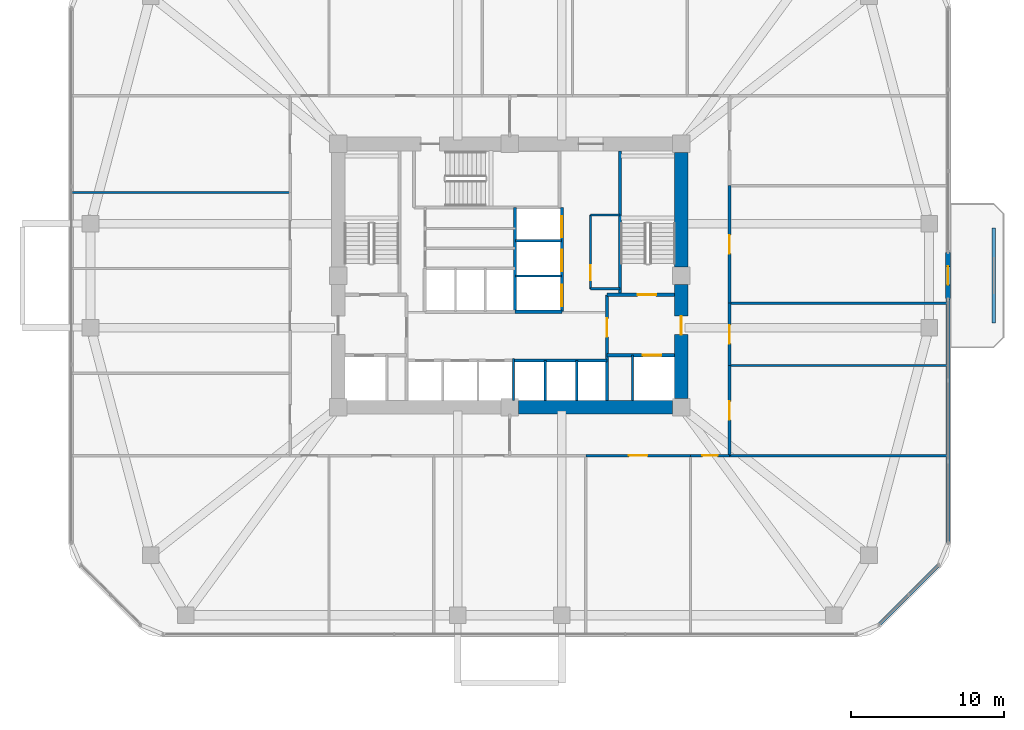
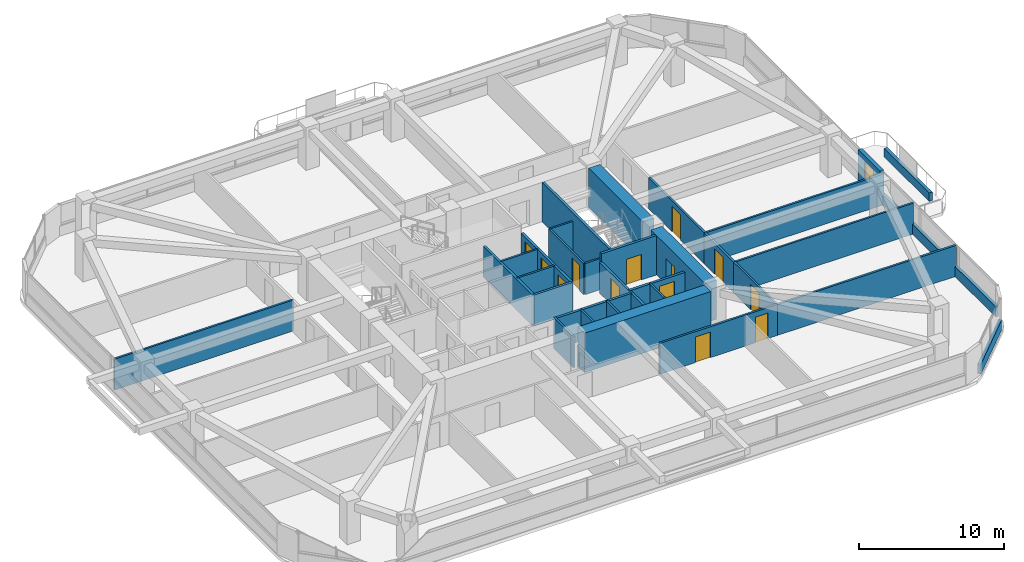
# One storey, part 10 of 14: 33 walls, 14 doors, 14 openings.
"""IFC4 building model written with IfcOpenShell, lengths in metres."""

from ifc_helpers import new_model, si_unit, derived_unit, direction, frame, frame_2d, origin, place, context, subcontext, project, spatial, rectangle, extrude, material, layer, layer_set, type_object, element, fill, save


model = new_model("IFC4")

# Units and contexts
model_context = context("Model", 3, precision=1e-05, world=origin(), true_north=direction((0.0, 1.0)))
body_context = subcontext(model_context, "Body", "Model", "MODEL_VIEW")
ifc_project = project(units=[si_unit("LENGTHUNIT", "METRE"), si_unit("AREAUNIT", "SQUARE_METRE"), si_unit("VOLUMEUNIT", "CUBIC_METRE"), si_unit("PLANEANGLEUNIT", "RADIAN"), si_unit("MASSUNIT", "GRAM", prefix="KILO"), derived_unit("THERMALTRANSMITTANCEUNIT", [(si_unit("POWERUNIT", "WATT"), 1), (si_unit("LENGTHUNIT", "METRE"), -2), (si_unit("THERMODYNAMICTEMPERATUREUNIT", "KELVIN"), -1)])], contexts=[model_context])

# Site, building, storey
site_placement = place(None, origin())
site = spatial("IfcSite", under=ifc_project, at=site_placement, CompositionType="ELEMENT")
building_placement = place(site_placement, origin())
building = spatial("IfcBuilding", under=site, at=building_placement, Name="Koralith Skygarden Medical Center", CompositionType="ELEMENT")
storey_placement = place(building_placement, frame((0.0, 0.0, 45.5400390625)))
storey = spatial("IfcBuildingStorey", under=building, at=storey_placement, Name="L11", CompositionType="ELEMENT", Elevation=45.5400390625)

# Wall, opening, door
ifc_material_1 = material(Name="Gypsum Board Partition")
ifc_layer_1 = layer(ifc_material_1, 0.14990234375)
ifc_layer_set_1 = layer_set([ifc_layer_1], Name="Gypsum Board Partition")
wall_type_1 = type_object("IfcWallType", Name="Clinical Acoustic Partition 150", PredefinedType="PARTITIONING", material=ifc_layer_set_1)
wall_1_placement = place(storey_placement, frame((42.27001953125, 25.0400390625, 0.0), z_axis=(0.0, 0.0, 1.0), x_axis=(0.0, 1.0, 0.0)))
wall_1 = element("IfcWall", 1, at=wall_1_placement, inside=storey, type_object=wall_type_1, Name="L11 Clinical Acoustic Partition 150 W-CORE-L11-ESUB-W", PredefinedType="PARTITIONING", context=body_context, shape_type="SweptSolid", body=[
    extrude(rectangle(XDim=4.820068359375, YDim=0.14990234375, at=frame_2d((2.41015625, 0.0))), origin(), (0.0, 0.0, 1.0), 2.60986328125),
])
opening_1_placement = place(wall_1_placement, frame((0.550048828125, 0.0, 0.0)))
opening_1 = element("IfcOpeningElement", 2, at=opening_1_placement, cuts=wall_1, Name="Opening D-SUP", PredefinedType="OPENING", context=body_context, shape_type="SweptSolid", body=[
    extrude(rectangle(XDim=1.0, YDim=2.14990234375, at=frame_2d((0.5, 1.074951171875))), frame((0.0, 0.0849609375, 0.0), z_axis=(0.0, -1.0, 0.0), x_axis=(1.0, 0.0, 0.0)), (0.0, 0.0, 1.0), 0.169921875),
])
ifc_material_2 = material(Name="Aluminium 6063-T6", Category="aluminium")
door_type_1 = type_object("IfcDoorType", Name="Clinical Support Door D-SUP 1000", OperationType="NOTDEFINED", PredefinedType="DOOR", material=ifc_material_2)
door_1_placement = place(opening_1_placement, origin())
door_1 = element("IfcDoor", 3, at=door_1_placement, inside=storey, type_object=door_type_1, Name="L11 Core Equipment Store Door", OperationType="SINGLE_SWING_LEFT", OverallHeight=2.14990234375, OverallWidth=1.0, PredefinedType="DOOR", context=body_context, shape_type="SweptSolid", body=[
    extrude(rectangle(XDim=1.0, YDim=2.14990234375, at=frame_2d((0.5, 1.074951171875))), frame((0.0, 0.02490234375, 0.0), z_axis=(0.0, -1.0, 0.0), x_axis=(1.0, 0.0, 0.0)), (0.0, 0.0, 1.0), 0.050048828125),
])
fill(opening_1, door_1)

# Walls
for number, where, z_axis, x_axis, name in (
    (4, (42.27001953125, 25.0400390625, 0.0), (0.0, 0.0, 1.0), (1.0, 0.0, 0.0), "L11 Clinical Acoustic Partition 150 W-CORE-L11-ESUB-S"),
    (5, (42.27001953125, 29.860107421875, 0.0), (0.0, 0.0, 1.0), (1.0, 0.0, 0.0), "L11 Clinical Acoustic Partition 150 W-CORE-L11-ESUB-N"),
):
    element("IfcWall", number, at=place(storey_placement, frame(where, z_axis=z_axis, x_axis=x_axis)), inside=storey, type_object=wall_type_1, Name=name, PredefinedType="PARTITIONING", context=body_context, shape_type="SweptSolid", body=[
        extrude(rectangle(XDim=1.929931640625, YDim=0.14990234375, at=frame_2d((0.96484375, 0.0))), origin(), (0.0, 0.0, 1.0), 2.60986328125),
    ])
for number, where, z_axis, x_axis, name in (
    (6, (22.64990234375, 31.3330078125, 0.0), (0.0, 0.0, 1.0), (-1.0, 0.0, 0.0), "L11 Clinical Acoustic Partition 150 W-PART-L11-W-03"),
    (7, (51.35009765625, 20.02490234375, 0.0), (0.0, 0.0, 1.0), (1.0, 0.0, 0.0), "L11 Clinical Acoustic Partition 150 W-PART-L11-E-01"),
    (8, (51.35009765625, 24.10009765625, 0.0), (0.0, 0.0, 1.0), (1.0, 0.0, 0.0), "L11 Clinical Acoustic Partition 150 W-PART-L11-E-02"),
):
    element("IfcWall", number, at=place(storey_placement, frame(where, z_axis=z_axis, x_axis=x_axis)), inside=storey, type_object=wall_type_1, Name=name, PredefinedType="PARTITIONING", context=body_context, shape_type="SweptSolid", body=[
        extrude(rectangle(XDim=14.25, YDim=0.14990234375, at=frame_2d((7.125, 0.0))), origin(), (0.0, 0.0, 1.0), 2.60986328125),
    ])
ifc_layer_2 = layer(ifc_material_1, 0.1650390625)
ifc_layer_set_2 = layer_set([ifc_layer_2], Name="Gypsum Board Partition")
wall_type_2 = type_object("IfcWallType", Name="Clinical Corridor Partition 165", PredefinedType="PARTITIONING", material=ifc_layer_set_2)
wall_2_placement = place(storey_placement, frame((51.35009765625, 14.14990234375, 0.0), z_axis=(0.0, 0.0, 1.0), x_axis=(1.0, 0.0, 0.0)))
element("IfcWall", 9, at=wall_2_placement, inside=storey, type_object=wall_type_2, Name="L11 Clinical Corridor Partition 165 W-WB-L11-SE", PredefinedType="PARTITIONING", context=body_context, shape_type="SweptSolid", body=[
    extrude(rectangle(XDim=14.25, YDim=0.1650390625, at=frame_2d((7.125, 0.0))), origin(), (0.0, 0.0, 1.0), 2.60986328125),
])

# Wall, opening, door
wall_3_placement = place(storey_placement, frame((41.964111328125, 14.14990234375, 0.0), z_axis=(0.0, 0.0, 1.0), x_axis=(1.0, 0.0, 0.0)))
wall_3 = element("IfcWall", 10, at=wall_3_placement, inside=storey, type_object=wall_type_2, Name="L11 Clinical Corridor Partition 165 W-CORR-L11-S-04", PredefinedType="PARTITIONING", context=body_context, shape_type="SweptSolid", body=[
    extrude(rectangle(XDim=6.8359375, YDim=0.1650390625, at=frame_2d((3.41796875, 0.0))), origin(), (0.0, 0.0, 1.0), 2.60986328125),
])
opening_2_placement = place(wall_3_placement, frame((2.818115234375, 0.0, 0.0)))
opening_2 = element("IfcOpeningElement", 11, at=opening_2_placement, cuts=wall_3, Name="Opening D-CLN", PredefinedType="OPENING", context=body_context, shape_type="SweptSolid", body=[
    extrude(rectangle(XDim=1.199951171875, YDim=2.14990234375, at=frame_2d((0.60009765625, 1.074951171875))), frame((0.0, 0.092529296875, 0.0), z_axis=(0.0, -1.0, 0.0), x_axis=(1.0, 0.0, 0.0)), (0.0, 0.0, 1.0), 0.18505859375),
])
door_type_2 = type_object("IfcDoorType", Name="Clinical Corridor Door D-CLN 1200", OperationType="NOTDEFINED", PredefinedType="DOOR", material=ifc_material_2)
door_2_placement = place(opening_2_placement, frame((1.199951171875, 0.0, 0.0), z_axis=(0.0, 0.0, 1.0), x_axis=(-1.0, 0.0, 0.0)))
door_2 = element("IfcDoor", 12, at=door_2_placement, inside=storey, type_object=door_type_2, Name="L11 Clinical Consultation Office 09 Door", OperationType="SINGLE_SWING_RIGHT", OverallHeight=2.14990234375, OverallWidth=1.199951171875, PredefinedType="DOOR", context=body_context, shape_type="SweptSolid", body=[
    extrude(rectangle(XDim=1.199951171875, YDim=2.14990234375, at=frame_2d((0.60009765625, 1.074951171875))), frame((0.0, 0.02490234375, 0.0), z_axis=(0.0, -1.0, 0.0), x_axis=(1.0, 0.0, 0.0)), (0.0, 0.0, 1.0), 0.050048828125),
])
fill(opening_2, door_2)

wall_4_placement = place(storey_placement, frame((48.800048828125, 14.14990234375, 0.0), z_axis=(0.0, 0.0, 1.0), x_axis=(1.0, 0.0, 0.0)))
wall_4 = element("IfcWall", 13, at=wall_4_placement, inside=storey, type_object=wall_type_2, Name="L11 Clinical Corridor Partition 165 W-CORR-L11-S-05", PredefinedType="PARTITIONING", context=body_context, shape_type="SweptSolid", body=[
    extrude(rectangle(XDim=2.550048828125, YDim=0.1650390625, at=frame_2d((1.27490234375, 0.0))), origin(), (0.0, 0.0, 1.0), 2.60986328125),
])
opening_3_placement = place(wall_4_placement, frame((0.77490234375, 0.0, 0.0)))
opening_3 = element("IfcOpeningElement", 14, at=opening_3_placement, cuts=wall_4, Name="Opening D-SUP", PredefinedType="OPENING", context=body_context, shape_type="SweptSolid", body=[
    extrude(rectangle(XDim=1.0, YDim=2.14990234375, at=frame_2d((0.5, 1.074951171875))), frame((0.0, 0.092529296875, 0.0), z_axis=(0.0, -1.0, 0.0), x_axis=(1.0, 0.0, 0.0)), (0.0, 0.0, 1.0), 0.18505859375),
])
door_3_placement = place(opening_3_placement, frame((1.0, 0.0, 0.0), z_axis=(0.0, 0.0, 1.0), x_axis=(-1.0, 0.0, 0.0)))
door_3 = element("IfcDoor", 15, at=door_3_placement, inside=storey, type_object=door_type_1, Name="L11 Family Waiting Sitting Lounge 10 Door", OperationType="SINGLE_SWING_LEFT", OverallHeight=2.14990234375, OverallWidth=1.0, PredefinedType="DOOR", context=body_context, shape_type="SweptSolid", body=[
    extrude(rectangle(XDim=1.0, YDim=2.14990234375, at=frame_2d((0.5, 1.074951171875))), frame((0.0, 0.02490234375, 0.0), z_axis=(0.0, -1.0, 0.0), x_axis=(1.0, 0.0, 0.0)), (0.0, 0.0, 1.0), 0.050048828125),
])
fill(opening_3, door_3)

wall_5_placement = place(storey_placement, frame((51.35009765625, 14.14990234375, 0.0), z_axis=(0.0, 0.0, 1.0), x_axis=(0.0, 1.0, 0.0)))
wall_5 = element("IfcWall", 16, at=wall_5_placement, inside=storey, type_object=wall_type_2, Name="L11 Clinical Corridor Partition 165 W-CORR-L11-E-01", PredefinedType="PARTITIONING", context=body_context, shape_type="SweptSolid", body=[
    extrude(rectangle(XDim=5.875, YDim=0.1650390625, at=frame_2d((2.9375, 0.0))), origin(), (0.0, 0.0, 1.0), 2.60986328125),
])
opening_4_placement = place(wall_5_placement, frame((2.3369140625, 0.0, 0.0)))
opening_4 = element("IfcOpeningElement", 17, at=opening_4_placement, cuts=wall_5, Name="Opening D-CLN", PredefinedType="OPENING", context=body_context, shape_type="SweptSolid", body=[
    extrude(rectangle(XDim=1.199951171875, YDim=2.14990234375, at=frame_2d((0.60009765625, 1.074951171875))), frame((0.0, 0.092529296875, 0.0), z_axis=(0.0, -1.0, 0.0), x_axis=(1.0, 0.0, 0.0)), (0.0, 0.0, 1.0), 0.18505859375),
])
door_4_placement = place(opening_4_placement, origin())
door_4 = element("IfcDoor", 18, at=door_4_placement, inside=storey, type_object=door_type_2, Name="L11 Outpatient Triage Exam Room 15 Door", OperationType="SINGLE_SWING_RIGHT", OverallHeight=2.14990234375, OverallWidth=1.199951171875, PredefinedType="DOOR", context=body_context, shape_type="SweptSolid", body=[
    extrude(rectangle(XDim=1.199951171875, YDim=2.14990234375, at=frame_2d((0.60009765625, 1.074951171875))), frame((0.0, 0.02490234375, 0.0), z_axis=(0.0, -1.0, 0.0), x_axis=(1.0, 0.0, 0.0)), (0.0, 0.0, 1.0), 0.050048828125),
])
fill(opening_4, door_4)

wall_6_placement = place(storey_placement, frame((51.35009765625, 20.02490234375, 0.0), z_axis=(0.0, 0.0, 1.0), x_axis=(0.0, 1.0, 0.0)))
wall_6 = element("IfcWall", 19, at=wall_6_placement, inside=storey, type_object=wall_type_2, Name="L11 Clinical Corridor Partition 165 W-CORR-L11-E-02", PredefinedType="PARTITIONING", context=body_context, shape_type="SweptSolid", body=[
    extrude(rectangle(XDim=4.0751953125, YDim=0.1650390625, at=frame_2d((2.03759765625, 0.0))), origin(), (0.0, 0.0, 1.0), 2.60986328125),
])
opening_5_placement = place(wall_6_placement, frame((1.43798828125, 0.0, 0.0)))
opening_5 = element("IfcOpeningElement", 20, at=opening_5_placement, cuts=wall_6, Name="Opening D-CLN", PredefinedType="OPENING", context=body_context, shape_type="SweptSolid", body=[
    extrude(rectangle(XDim=1.199951171875, YDim=2.14990234375, at=frame_2d((0.60009765625, 1.074951171875))), frame((0.0, 0.092529296875, 0.0), z_axis=(0.0, -1.0, 0.0), x_axis=(1.0, 0.0, 0.0)), (0.0, 0.0, 1.0), 0.18505859375),
])
door_5_placement = place(opening_5_placement, origin())
door_5 = element("IfcDoor", 21, at=door_5_placement, inside=storey, type_object=door_type_2, Name="L11 Clean Linen Supply Store 16 Door", OperationType="SINGLE_SWING_LEFT", OverallHeight=2.14990234375, OverallWidth=1.199951171875, PredefinedType="DOOR", context=body_context, shape_type="SweptSolid", body=[
    extrude(rectangle(XDim=1.199951171875, YDim=2.14990234375, at=frame_2d((0.60009765625, 1.074951171875))), frame((0.0, 0.02490234375, 0.0), z_axis=(0.0, -1.0, 0.0), x_axis=(1.0, 0.0, 0.0)), (0.0, 0.0, 1.0), 0.050048828125),
])
fill(opening_5, door_5)

wall_7_placement = place(storey_placement, frame((51.35009765625, 24.10009765625, 0.0), z_axis=(0.0, 0.0, 1.0), x_axis=(0.0, 1.0, 0.0)))
wall_7 = element("IfcWall", 22, at=wall_7_placement, inside=storey, type_object=wall_type_2, Name="L11 Clinical Corridor Partition 165 W-CORR-L11-E-03", PredefinedType="PARTITIONING", context=body_context, shape_type="SweptSolid", body=[
    extrude(rectangle(XDim=7.6748046875, YDim=0.1650390625, at=frame_2d((3.83740234375, 0.0))), origin(), (0.0, 0.0, 1.0), 2.60986328125),
])
opening_6_placement = place(wall_7_placement, frame((3.237060546875, 0.0, 0.0)))
opening_6 = element("IfcOpeningElement", 23, at=opening_6_placement, cuts=wall_7, Name="Opening D-CLN", PredefinedType="OPENING", context=body_context, shape_type="SweptSolid", body=[
    extrude(rectangle(XDim=1.199951171875, YDim=2.14990234375, at=frame_2d((0.60009765625, 1.074951171875))), frame((0.0, 0.092529296875, 0.0), z_axis=(0.0, -1.0, 0.0), x_axis=(1.0, 0.0, 0.0)), (0.0, 0.0, 1.0), 0.18505859375),
])
door_6_placement = place(opening_6_placement, origin())
door_6 = element("IfcDoor", 24, at=door_6_placement, inside=storey, type_object=door_type_2, Name="L11 Patient and Family Sky-Garden Day Lounge 17 Door", OperationType="SINGLE_SWING_RIGHT", OverallHeight=2.14990234375, OverallWidth=1.199951171875, PredefinedType="DOOR", context=body_context, shape_type="SweptSolid", body=[
    extrude(rectangle(XDim=1.199951171875, YDim=2.14990234375, at=frame_2d((0.60009765625, 1.074951171875))), frame((0.0, 0.02490234375, 0.0), z_axis=(0.0, -1.0, 0.0), x_axis=(1.0, 0.0, 0.0)), (0.0, 0.0, 1.0), 0.050048828125),
])
fill(opening_6, door_6)

ifc_layer_3 = layer(ifc_material_1, 0.199951171875)
ifc_layer_set_3 = layer_set([ifc_layer_3], Name="Gypsum Board Partition")
wall_type_3 = type_object("IfcWallType", Name="Fire Shaft Wall 200", PredefinedType="SOLIDWALL", material=ifc_layer_set_3)
wall_8_placement = place(storey_placement, frame((43.35009765625, 20.699951171875, 0.0), z_axis=(0.0, 0.0, 1.0), x_axis=(1.0, 0.0, 0.0)))
wall_8 = element("IfcWall", 25, at=wall_8_placement, inside=storey, type_object=wall_type_3, Name="L11 Fire Shaft Wall 200 W-CORE-L11-FF2-N", PredefinedType="SOLIDWALL", context=body_context, shape_type="SweptSolid", body=[
    extrude(rectangle(XDim=4.39990234375, YDim=0.199951171875, at=frame_2d((2.199951171875, 0.0))), origin(), (0.0, 0.0, 1.0), 2.60986328125),
])
opening_7_placement = place(wall_8_placement, frame((2.35009765625, 0.0, 0.0)))
opening_7 = element("IfcOpeningElement", 26, at=opening_7_placement, cuts=wall_8, Name="Opening LD-FF", PredefinedType="OPENING", context=body_context, shape_type="SweptSolid", body=[
    extrude(rectangle(XDim=1.199951171875, YDim=2.14990234375, at=frame_2d((0.60009765625, 1.074951171875))), frame((0.0, 0.10986328125, 0.0), z_axis=(0.0, -1.0, 0.0), x_axis=(1.0, 0.0, 0.0)), (0.0, 0.0, 1.0), 0.219970703125),
])
ifc_material_3 = material(Name="Steel ASTM A500 Grade C", Category="steel")
door_type_3 = type_object("IfcDoorType", Name="Fire Lift Sliding Landing Door LD-FF 1200", OperationType="NOTDEFINED", PredefinedType="DOOR", material=ifc_material_3)
door_7_placement = place(opening_7_placement, origin())
door_7 = element("IfcDoor", 27, at=door_7_placement, inside=storey, type_object=door_type_3, Name="L11 Fire Service Elevator FF2 Landing Door", OperationType="SLIDING_TO_RIGHT", OverallHeight=2.14990234375, OverallWidth=1.199951171875, PredefinedType="DOOR", context=body_context, shape_type="SweptSolid", body=[
    extrude(rectangle(XDim=1.199951171875, YDim=2.14990234375, at=frame_2d((0.60009765625, 1.074951171875))), frame((0.0, 0.02490234375, 0.0), z_axis=(0.0, -1.0, 0.0), x_axis=(1.0, 0.0, 0.0)), (0.0, 0.0, 1.0), 0.050048828125),
])
fill(opening_7, door_7)

wall_9_placement = place(storey_placement, frame((43.35009765625, 17.75, 0.0), z_axis=(0.0, 0.0, 1.0), x_axis=(0.0, 1.0, 0.0)))
wall_9 = element("IfcWall", 28, at=wall_9_placement, inside=storey, type_object=wall_type_3, Name="L11 Fire Shaft Wall 200 W-CORE-L11-FSAEE-W", PredefinedType="SOLIDWALL", context=body_context, shape_type="SweptSolid", body=[
    extrude(rectangle(XDim=6.89990234375, YDim=0.199951171875, at=frame_2d((3.449951171875, 0.0))), origin(), (0.0, 0.0, 1.0), 2.60986328125),
])
opening_8_placement = place(wall_9_placement, frame((4.14990234375, 0.0, 0.0)))
opening_8 = element("IfcOpeningElement", 29, at=opening_8_placement, cuts=wall_9, Name="Opening D-ST60", PredefinedType="OPENING", context=body_context, shape_type="SweptSolid", body=[
    extrude(rectangle(XDim=1.199951171875, YDim=2.14990234375, at=frame_2d((0.60009765625, 1.074951171875))), frame((0.0, 0.10986328125, 0.0), z_axis=(0.0, -1.0, 0.0), x_axis=(1.0, 0.0, 0.0)), (0.0, 0.0, 1.0), 0.219970703125),
])
door_type_4 = type_object("IfcDoorType", Name="Smokeproof Stair Fire Door FD60S 1200", OperationType="NOTDEFINED", PredefinedType="DOOR", material=ifc_material_3)
door_8_placement = place(opening_8_placement, frame((1.199951171875, 0.0, 0.0), z_axis=(0.0, 0.0, 1.0), x_axis=(-1.0, 0.0, 0.0)))
door_8 = element("IfcDoor", 30, at=door_8_placement, inside=storey, type_object=door_type_4, Name="L11 East Firefighting Lobby Inner Fire Door", OperationType="SINGLE_SWING_RIGHT", OverallHeight=2.14990234375, OverallWidth=1.199951171875, PredefinedType="DOOR", context=body_context, shape_type="SweptSolid", body=[
    extrude(rectangle(XDim=1.199951171875, YDim=2.14990234375, at=frame_2d((0.60009765625, 1.074951171875))), frame((0.0, 0.02490234375, 0.0), z_axis=(0.0, -1.0, 0.0), x_axis=(1.0, 0.0, 0.0)), (0.0, 0.0, 1.0), 0.050048828125),
])
fill(opening_8, door_8)

# Walls
wall_10_placement = place(storey_placement, frame((37.25, 20.360107421875, 0.0), z_axis=(0.0, 0.0, 1.0), x_axis=(1.0, 0.0, 0.0)))
element("IfcWall", 31, at=wall_10_placement, inside=storey, type_object=wall_type_3, Name="L11 Fire Shaft Wall 200 W-CORE-L11-PM-N", PredefinedType="SOLIDWALL", context=body_context, shape_type="SweptSolid", body=[
    extrude(rectangle(XDim=6.10009765625, YDim=0.199951171875, at=frame_2d((3.050048828125, 0.0))), origin(), (0.0, 0.0, 1.0), 2.60986328125),
])
wall_11_placement = place(storey_placement, frame((37.35009765625, 23.5400390625, 0.0), z_axis=(0.0, 0.0, 1.0), x_axis=(0.0, 1.0, 0.0)))
element("IfcWall", 32, at=wall_11_placement, inside=storey, type_object=wall_type_3, Name="L11 Fire Shaft Wall 200 W-CORE-L11-SV-W", PredefinedType="SOLIDWALL", context=body_context, shape_type="SweptSolid", body=[
    extrude(rectangle(XDim=6.820068359375, YDim=0.199951171875, at=frame_2d((3.41015625, 0.0))), origin(), (0.0, 0.0, 1.0), 2.60986328125),
])
wall_12_placement = place(storey_placement, frame((37.35009765625, 23.5400390625, 0.0), z_axis=(0.0, 0.0, 1.0), x_axis=(1.0, 0.0, 0.0)))
element("IfcWall", 33, at=wall_12_placement, inside=storey, type_object=wall_type_3, Name="L11 Fire Shaft Wall 200 W-CORE-L11-SV-S", PredefinedType="SOLIDWALL", context=body_context, shape_type="SweptSolid", body=[
    extrude(rectangle(XDim=3.0498046875, YDim=0.199951171875, at=frame_2d((1.52490234375, 0.0))), origin(), (0.0, 0.0, 1.0), 2.60986328125),
])

# Wall, openings, doors
wall_13_placement = place(storey_placement, frame((40.39990234375, 23.5400390625, 0.0), z_axis=(0.0, 0.0, 1.0), x_axis=(0.0, 1.0, 0.0)))
wall_13 = element("IfcWall", 34, at=wall_13_placement, inside=storey, type_object=wall_type_3, Name="L11 Fire Shaft Wall 200 W-CORE-L11-SV-E", PredefinedType="SOLIDWALL", context=body_context, shape_type="SweptSolid", body=[
    extrude(rectangle(XDim=6.820068359375, YDim=0.199951171875, at=frame_2d((3.41015625, 0.0))), origin(), (0.0, 0.0, 1.0), 2.60986328125),
])
opening_9_placement = place(wall_13_placement, frame((0.35009765625, 0.0, 0.0)))
opening_9 = element("IfcOpeningElement", 35, at=opening_9_placement, cuts=wall_13, Name="Opening LD-SV", PredefinedType="OPENING", context=body_context, shape_type="SweptSolid", body=[
    extrude(rectangle(XDim=1.39990234375, YDim=2.199951171875, at=frame_2d((0.699951171875, 1.10009765625))), frame((0.0, 0.10986328125, 0.0), z_axis=(0.0, -1.0, 0.0), x_axis=(1.0, 0.0, 0.0)), (0.0, 0.0, 1.0), 0.219970703125),
])
opening_10_placement = place(wall_13_placement, frame((2.64990234375, 0.0, 0.0)))
opening_10 = element("IfcOpeningElement", 36, at=opening_10_placement, cuts=wall_13, Name="Opening LD-SV", PredefinedType="OPENING", context=body_context, shape_type="SweptSolid", body=[
    extrude(rectangle(XDim=1.39990234375, YDim=2.199951171875, at=frame_2d((0.699951171875, 1.10009765625))), frame((0.0, 0.10986328125, 0.0), z_axis=(0.0, -1.0, 0.0), x_axis=(1.0, 0.0, 0.0)), (0.0, 0.0, 1.0), 0.219970703125),
])
opening_11_placement = place(wall_13_placement, frame((4.85009765625, 0.0, 0.0)))
opening_11 = element("IfcOpeningElement", 37, at=opening_11_placement, cuts=wall_13, Name="Opening LD-SV", PredefinedType="OPENING", context=body_context, shape_type="SweptSolid", body=[
    extrude(rectangle(XDim=1.39990234375, YDim=2.199951171875, at=frame_2d((0.699951171875, 1.10009765625))), frame((0.0, 0.10986328125, 0.0), z_axis=(0.0, -1.0, 0.0), x_axis=(1.0, 0.0, 0.0)), (0.0, 0.0, 1.0), 0.219970703125),
])
door_type_5 = type_object("IfcDoorType", Name="Bed Lift Sliding Landing Door LD-SV 1400", OperationType="NOTDEFINED", PredefinedType="DOOR", material=ifc_material_3)
door_9_placement = place(opening_9_placement, origin())
door_9 = element("IfcDoor", 38, at=door_9_placement, inside=storey, type_object=door_type_5, Name="L11 Bed Elevator BD1 Landing Door", OperationType="SLIDING_TO_LEFT", OverallHeight=2.199951171875, OverallWidth=1.39990234375, PredefinedType="DOOR", context=body_context, shape_type="SweptSolid", body=[
    extrude(rectangle(XDim=1.39990234375, YDim=2.199951171875, at=frame_2d((0.699951171875, 1.10009765625))), frame((0.0, 0.02490234375, 0.0), z_axis=(0.0, -1.0, 0.0), x_axis=(1.0, 0.0, 0.0)), (0.0, 0.0, 1.0), 0.050048828125),
])
fill(opening_9, door_9)
door_10_placement = place(opening_10_placement, origin())
door_10 = element("IfcDoor", 39, at=door_10_placement, inside=storey, type_object=door_type_5, Name="L11 Service Elevator BD2 Landing Door", OperationType="SLIDING_TO_LEFT", OverallHeight=2.199951171875, OverallWidth=1.39990234375, PredefinedType="DOOR", context=body_context, shape_type="SweptSolid", body=[
    extrude(rectangle(XDim=1.39990234375, YDim=2.199951171875, at=frame_2d((0.699951171875, 1.10009765625))), frame((0.0, 0.02490234375, 0.0), z_axis=(0.0, -1.0, 0.0), x_axis=(1.0, 0.0, 0.0)), (0.0, 0.0, 1.0), 0.050048828125),
])
fill(opening_10, door_10)
door_11_placement = place(opening_11_placement, origin())
door_11 = element("IfcDoor", 40, at=door_11_placement, inside=storey, type_object=door_type_5, Name="L11 Trauma Elevator TR1 Landing Door", OperationType="SLIDING_TO_RIGHT", OverallHeight=2.199951171875, OverallWidth=1.39990234375, PredefinedType="DOOR", context=body_context, shape_type="SweptSolid", body=[
    extrude(rectangle(XDim=1.39990234375, YDim=2.199951171875, at=frame_2d((0.699951171875, 1.10009765625))), frame((0.0, 0.02490234375, 0.0), z_axis=(0.0, -1.0, 0.0), x_axis=(1.0, 0.0, 0.0)), (0.0, 0.0, 1.0), 0.050048828125),
])
fill(opening_11, door_11)

# Walls
ifc_material_4 = material(Name="Warm Oolitic Limestone Cladding", Category="masonry")
ifc_layer_4 = layer(ifc_material_4, 0.239990234375)
ifc_layer_set_4 = layer_set([ifc_layer_4], Name="Warm Oolitic Limestone Cladding")
wall_type_4 = type_object("IfcWallType", Name="Limestone Spandrel Sill Backup Wall 240", PredefinedType="SOLIDWALL", material=ifc_layer_set_4)
wall_14_placement = place(storey_placement, frame((61.095947265625, 3.0810546875, 0.0), z_axis=(0.0, 0.0, 1.0), x_axis=(0.707128783731, 0.707084777957, 0.0)))
element("IfcWall", 41, at=wall_14_placement, inside=storey, type_object=wall_type_4, Name="L11 Sill Spandrel SE", PredefinedType="SOLIDWALL", context=body_context, shape_type="SweptSolid", body=[
    extrude(rectangle(XDim=5.5478515625, YDim=0.239990234375, at=frame_2d((2.77392578125, 0.0))), origin(), (0.0, 0.0, 1.0), 0.849853515625),
])
wall_15_placement = place(storey_placement, frame((65.6201171875, 8.455078125, 0.0), z_axis=(0.0, 0.0, 1.0), x_axis=(0.0, 1.0, 0.0)))
element("IfcWall", 42, at=wall_15_placement, inside=storey, type_object=wall_type_4, Name="L11 Sill Spandrel E-L", PredefinedType="SOLIDWALL", context=body_context, shape_type="SweptSolid", body=[
    extrude(rectangle(XDim=15.905029296875, YDim=0.239990234375, at=frame_2d((7.95263671875, 0.0))), origin(), (0.0, 0.0, 1.0), 0.849853515625),
])
ifc_material_5 = material(Name="Concrete C70/85", Category="concrete")
ifc_layer_5 = layer(ifc_material_5, 0.89990234375)
ifc_layer_set_5 = layer_set([ifc_layer_5], Name="Concrete C70/85")
wall_type_5 = type_object("IfcWallType", Name="Lower Core Shear Wall 900", PredefinedType="SHEAR", material=ifc_layer_set_5)
wall_16_placement = place(storey_placement, frame((37.56494140625, 17.300048828125, 0.0), z_axis=(0.0, 0.0, 1.0), x_axis=(1.0, 0.0, 0.0)))
element("IfcWall", 43, at=wall_16_placement, inside=storey, type_object=wall_type_5, Name="L11 Core Shear Wall Segment 2", PredefinedType="SHEAR", context=body_context, shape_type="SweptSolid", body=[
    extrude(rectangle(XDim=10.070068359375, YDim=0.89990234375, at=frame_2d((5.03515625, 0.0))), origin(), (0.0, 0.0, 1.0), 3.320068359375),
])

# Wall, opening, door
wall_17_placement = place(storey_placement, frame((48.199951171875, 17.864990234375, 0.0), z_axis=(0.0, 0.0, 1.0), x_axis=(0.0, 1.0, 0.0)))
wall_17 = element("IfcWall", 44, at=wall_17_placement, inside=storey, type_object=wall_type_5, Name="L11 Core Shear Wall Segment 3", PredefinedType="SHEAR", context=body_context, shape_type="SweptSolid", body=[
    extrude(rectangle(XDim=7.469970703125, YDim=0.89990234375, at=frame_2d((3.73486328125, 0.0))), origin(), (0.0, 0.0, 1.0), 3.320068359375),
])
opening_12_placement = place(wall_17_placement, frame((4.18505859375, 0.0, 0.0)))
opening_12 = element("IfcOpeningElement", 45, at=opening_12_placement, cuts=wall_17, Name="Opening D-ST60", PredefinedType="OPENING", context=body_context, shape_type="SweptSolid", body=[
    extrude(rectangle(XDim=1.199951171875, YDim=2.14990234375, at=frame_2d((0.60009765625, 1.074951171875))), frame((0.0, 0.4599609375, 0.0), z_axis=(0.0, -1.0, 0.0), x_axis=(1.0, 0.0, 0.0)), (0.0, 0.0, 1.0), 0.919921875),
])
door_12_placement = place(opening_12_placement, frame((1.199951171875, 0.0, 0.0), z_axis=(0.0, 0.0, 1.0), x_axis=(-1.0, 0.0, 0.0)))
door_12 = element("IfcDoor", 46, at=door_12_placement, inside=storey, type_object=door_type_4, Name="L11 East Corridor to Firefighting Lobby Door", OperationType="SINGLE_SWING_RIGHT", OverallHeight=2.14990234375, OverallWidth=1.199951171875, PredefinedType="DOOR", context=body_context, shape_type="SweptSolid", body=[
    extrude(rectangle(XDim=1.199951171875, YDim=2.14990234375, at=frame_2d((0.60009765625, 1.074951171875))), frame((0.0, 0.02490234375, 0.0), z_axis=(0.0, -1.0, 0.0), x_axis=(1.0, 0.0, 0.0)), (0.0, 0.0, 1.0), 0.050048828125),
])
fill(opening_12, door_12)

# Wall
wall_18_placement = place(storey_placement, frame((48.199951171875, 26.465087890625, 0.0), z_axis=(0.0, 0.0, 1.0), x_axis=(0.0, 1.0, 0.0)))
element("IfcWall", 47, at=wall_18_placement, inside=storey, type_object=wall_type_5, Name="L11 Core Shear Wall Segment 4", PredefinedType="SHEAR", context=body_context, shape_type="SweptSolid", body=[
    extrude(rectangle(XDim=7.469970703125, YDim=0.89990234375, at=frame_2d((3.73486328125, 0.0))), origin(), (0.0, 0.0, 1.0), 3.320068359375),
])

# Wall, opening, door
ifc_layer_6 = layer(ifc_material_4, 0.300048828125)
ifc_layer_set_6 = layer_set([ifc_layer_6], Name="Warm Oolitic Limestone Cladding")
wall_type_6 = type_object("IfcWallType", Name="Oolitic Limestone Insulated Facade Wall 300", PredefinedType="SOLIDWALL", material=ifc_layer_set_6)
wall_19_placement = place(storey_placement, frame((65.6201171875, 24.39990234375, 0.0), z_axis=(0.0, 0.0, 1.0), x_axis=(0.0, 1.0, 0.0)))
wall_19 = element("IfcWall", 48, at=wall_19_placement, inside=storey, type_object=wall_type_6, Name="L11 Terrace Portal Wall E", PredefinedType="SOLIDWALL", context=body_context, shape_type="SweptSolid", body=[
    extrude(rectangle(XDim=3.0, YDim=0.300048828125, at=frame_2d((1.5, 0.0))), origin(), (0.0, 0.0, 1.0), 2.64990234375),
])
opening_13_placement = place(wall_19_placement, frame((0.89990234375, 0.0, 0.0)))
opening_13 = element("IfcOpeningElement", 49, at=opening_13_placement, cuts=wall_19, Name="Opening D-BAL", PredefinedType="OPENING", context=body_context, shape_type="SweptSolid", body=[
    extrude(rectangle(XDim=1.199951171875, YDim=2.199951171875, at=frame_2d((0.60009765625, 1.10009765625))), frame((0.0, 0.159912109375, 0.0), z_axis=(0.0, -1.0, 0.0), x_axis=(1.0, 0.0, 0.0)), (0.0, 0.0, 1.0), 0.320068359375),
])
door_type_6 = type_object("IfcDoorType", Name="Planted Balcony Glazed Terrace Door D-BAL 1200", OperationType="NOTDEFINED", PredefinedType="DOOR", material=ifc_material_2)
door_13_placement = place(opening_13_placement, origin())
door_13 = element("IfcDoor", 50, at=door_13_placement, inside=storey, type_object=door_type_6, Name="L11 E Outdoor Terrace Access Door", OperationType="SINGLE_SWING_RIGHT", OverallHeight=2.199951171875, OverallWidth=1.199951171875, PredefinedType="DOOR", context=body_context, shape_type="SweptSolid", body=[
    extrude(rectangle(XDim=1.199951171875, YDim=2.199951171875, at=frame_2d((0.60009765625, 1.10009765625))), frame((0.0, 0.02490234375, 0.0), z_axis=(0.0, -1.0, 0.0), x_axis=(1.0, 0.0, 0.0)), (0.0, 0.0, 1.0), 0.050048828125),
])
fill(opening_13, door_13)

# Walls
ifc_layer_7 = layer(ifc_material_1, 0.14990234375)
ifc_layer_set_7 = layer_set([ifc_layer_7], Name="Gypsum Board Partition")
wall_type_7 = type_object("IfcWallType", Name="Shaft Partition Wall 150", PredefinedType="PARTITIONING", material=ifc_layer_set_7)
wall_20_placement = place(storey_placement, frame((45.02001953125, 17.75, 0.0), z_axis=(0.0, 0.0, 1.0), x_axis=(0.0, 1.0, 0.0)))
element("IfcWall", 51, at=wall_20_placement, inside=storey, type_object=wall_type_7, Name="L11 Shaft Partition Wall 150 W-CORE-L11-RSRE-DIV", PredefinedType="PARTITIONING", context=body_context, shape_type="SweptSolid", body=[
    extrude(rectangle(XDim=2.949951171875, YDim=0.14990234375, at=frame_2d((1.47509765625, 0.0))), origin(), (0.0, 0.0, 1.0), 2.60986328125),
])
for number, where, z_axis, x_axis, name in (
    (52, (39.320068359375, 17.75, 0.0), (0.0, 0.0, 1.0), (0.0, 1.0, 0.0), "L11 Shaft Partition Wall 150 W-CORE-L11-PM-D1"),
    (53, (41.3701171875, 17.75, 0.0), (0.0, 0.0, 1.0), (0.0, 1.0, 0.0), "L11 Shaft Partition Wall 150 W-CORE-L11-PM-D2"),
):
    element("IfcWall", number, at=place(storey_placement, frame(where, z_axis=z_axis, x_axis=x_axis)), inside=storey, type_object=wall_type_7, Name=name, PredefinedType="PARTITIONING", context=body_context, shape_type="SweptSolid", body=[
        extrude(rectangle(XDim=2.610107421875, YDim=0.14990234375, at=frame_2d((1.30517578125, 0.0))), origin(), (0.0, 0.0, 1.0), 2.60986328125),
    ])
wall_21_placement = place(storey_placement, frame((37.25, 17.75, 0.0), z_axis=(0.0, 0.0, 1.0), x_axis=(0.0, 1.0, 0.0)))
element("IfcWall", 54, at=wall_21_placement, inside=storey, type_object=wall_type_7, Name="L11 Shaft Partition Wall 150 W-CORE-L11-PL-PM-SEP", PredefinedType="PARTITIONING", context=body_context, shape_type="SweptSolid", body=[
    extrude(rectangle(XDim=2.72998046875, YDim=0.14990234375, at=frame_2d((1.364990234375, 0.0))), origin(), (0.0, 0.0, 1.0), 2.60986328125),
])
for number, where, z_axis, x_axis, name in (
    (55, (37.3701171875, 25.8701171875, 0.0), (0.0, 0.0, 1.0), (1.0, 0.0, 0.0), "L11 Shaft Partition Wall 150 W-CORE-L11-SV-D1"),
    (56, (37.3701171875, 28.169921875, 0.0), (0.0, 0.0, 1.0), (1.0, 0.0, 0.0), "L11 Shaft Partition Wall 150 W-CORE-L11-SV-D2"),
):
    element("IfcWall", number, at=place(storey_placement, frame(where, z_axis=z_axis, x_axis=x_axis)), inside=storey, type_object=wall_type_7, Name=name, PredefinedType="PARTITIONING", context=body_context, shape_type="SweptSolid", body=[
        extrude(rectangle(XDim=3.009765625, YDim=0.14990234375, at=frame_2d((1.5048828125, 0.0))), origin(), (0.0, 0.0, 1.0), 2.60986328125),
    ])
ifc_material_6 = material(Name="Precast concrete C40/50", Category="concrete")
ifc_layer_8 = layer(ifc_material_6, 0.25)
ifc_layer_set_8 = layer_set([ifc_layer_8], Name="Precast concrete C40/50")
wall_type_8 = type_object("IfcWallType", Name="Structural Concrete Balcony Planter Kerb 250", PredefinedType="PARAPET", material=ifc_layer_set_8)
wall_22_placement = place(storey_placement, frame((68.60009765625, 22.800048828125, 0.0), z_axis=(0.0, 0.0, 1.0), x_axis=(0.0, 1.0, 0.0)))
element("IfcWall", 57, at=wall_22_placement, inside=storey, type_object=wall_type_8, Name="L11 E Structural Tree PLANTER Box", PredefinedType="PARAPET", context=body_context, shape_type="SweptSolid", body=[
    extrude(rectangle(XDim=6.199951171875, YDim=0.25, at=frame_2d((3.10009765625, 0.0))), origin(), (0.0, 0.0, 1.0), 0.719970703125),
])
ifc_material_7 = material(Name="Concrete C45/55", Category="concrete")
ifc_layer_9 = layer(ifc_material_7, 0.199951171875)
ifc_layer_set_9 = layer_set([ifc_layer_9], Name="Concrete C45/55")
wall_type_9 = type_object("IfcWallType", Name="Structural Stair Shaft Wall 200", PredefinedType="SHEAR", material=ifc_layer_set_9)
wall_23_placement = place(storey_placement, frame((44.199951171875, 24.64990234375, 0.0), z_axis=(0.0, 0.0, 1.0), x_axis=(0.0, 1.0, 0.0)))
element("IfcWall", 58, at=wall_23_placement, inside=storey, type_object=wall_type_9, Name="L11 Structural Stair Shaft Wall 200 W-CORE-L11-ST2-W", PredefinedType="SHEAR", context=body_context, shape_type="SweptSolid", body=[
    extrude(rectangle(XDim=9.400146484375, YDim=0.199951171875, at=frame_2d((4.7001953125, 0.0))), origin(), (0.0, 0.0, 1.0), 3.320068359375),
])

# Wall, opening, door
wall_24_placement = place(storey_placement, frame((43.35009765625, 24.64990234375, 0.0), z_axis=(0.0, 0.0, 1.0), x_axis=(1.0, 0.0, 0.0)))
wall_24 = element("IfcWall", 59, at=wall_24_placement, inside=storey, type_object=wall_type_9, Name="L11 Structural Stair Shaft Wall 200 W-CORE-L11-ST2-S", PredefinedType="SHEAR", context=body_context, shape_type="SweptSolid", body=[
    extrude(rectangle(XDim=4.39990234375, YDim=0.199951171875, at=frame_2d((2.199951171875, 0.0))), origin(), (0.0, 0.0, 1.0), 3.320068359375),
])
opening_14_placement = place(wall_24_placement, frame((2.0, 0.0, 0.0)))
opening_14 = element("IfcOpeningElement", 60, at=opening_14_placement, cuts=wall_24, Name="Opening D-ST60", PredefinedType="OPENING", context=body_context, shape_type="SweptSolid", body=[
    extrude(rectangle(XDim=1.199951171875, YDim=2.14990234375, at=frame_2d((0.60009765625, 1.074951171875))), frame((0.0, 0.10986328125, 0.0), z_axis=(0.0, -1.0, 0.0), x_axis=(1.0, 0.0, 0.0)), (0.0, 0.0, 1.0), 0.219970703125),
])
door_14_placement = place(opening_14_placement, origin())
door_14 = element("IfcDoor", 61, at=door_14_placement, inside=storey, type_object=door_type_4, Name="L11 Exit Stair ST2 Fire Door", OperationType="SINGLE_SWING_RIGHT", OverallHeight=2.14990234375, OverallWidth=1.199951171875, PredefinedType="DOOR", context=body_context, shape_type="SweptSolid", body=[
    extrude(rectangle(XDim=1.199951171875, YDim=2.14990234375, at=frame_2d((0.60009765625, 1.074951171875))), frame((0.0, 0.02490234375, 0.0), z_axis=(0.0, -1.0, 0.0), x_axis=(1.0, 0.0, 0.0)), (0.0, 0.0, 1.0), 0.050048828125),
])
fill(opening_14, door_14)

save(model, "model.ifc")
